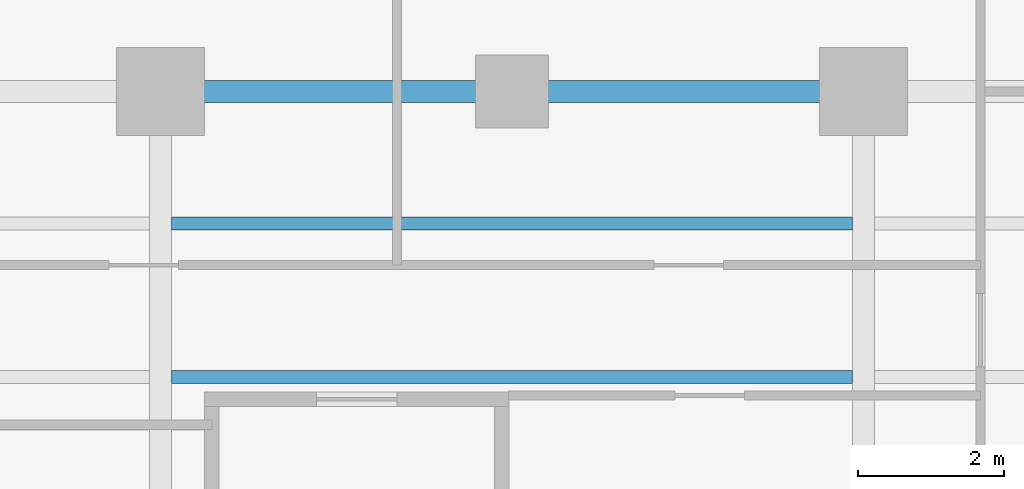
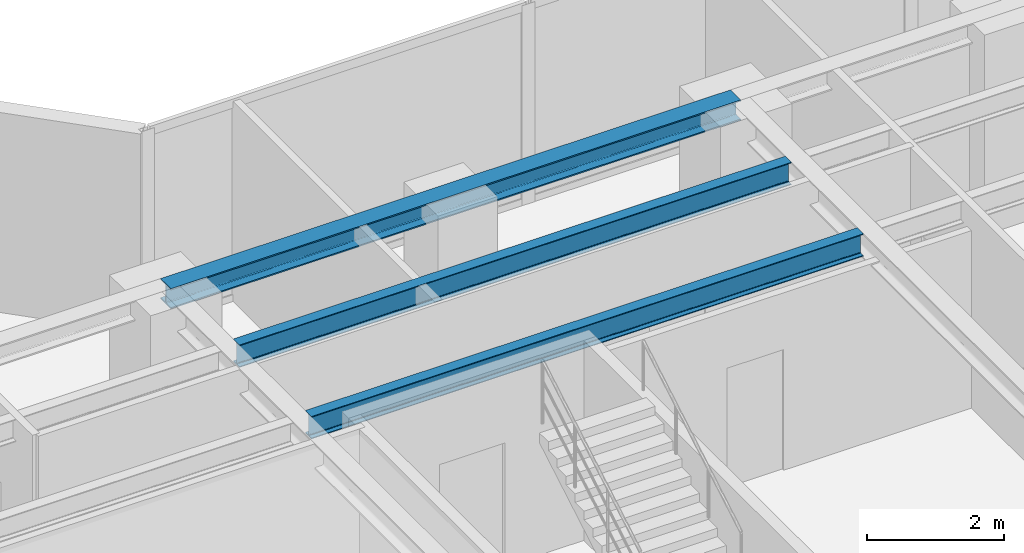
# One storey, part 5 of 26: 3 beams.
"""IFC4 building model written with IfcOpenShell, lengths in metres."""

from ifc_helpers import new_model, si_unit, direction, frame, origin, origin_2d, place, context, subcontext, project, spatial, i_section, extrude, material, material_profile, profile_set, type_object, element, save


model = new_model("IFC4")

# Units and contexts
model_context = context("Model", 3, precision=1e-05, world=origin(), true_north=direction((0.0, 1.0)))
body_context = subcontext(model_context, "Body", "Model", "MODEL_VIEW")
ifc_project = project(units=[si_unit("LENGTHUNIT", "METRE"), si_unit("AREAUNIT", "SQUARE_METRE"), si_unit("VOLUMEUNIT", "CUBIC_METRE"), si_unit("PLANEANGLEUNIT", "RADIAN"), si_unit("MASSUNIT", "GRAM", prefix="KILO")], contexts=[model_context])

# Site, building, storey
site_placement = place(None, origin())
site = spatial("IfcSite", under=ifc_project, at=site_placement, CompositionType="ELEMENT")
building_placement = place(site_placement, origin())
building = spatial("IfcBuilding", under=site, at=building_placement, Name="Kolvaren Waterfront Exchange", CompositionType="ELEMENT")
storey_placement = place(building_placement, frame((0.0, 0.0, 180.39990234375)))
storey = spatial("IfcBuildingStorey", under=building, at=storey_placement, Name="L46", CompositionType="ELEMENT", Elevation=180.39990234375)

# Beams
ifc_material = material(Name="Steel S355", Category="steel")
ifc_material_profile_1 = material_profile(ifc_material, i_section(OverallWidth=0.300048828125, OverallDepth=0.360107421875, WebThickness=0.012451171875, FlangeThickness=0.0224609375, FilletRadius=0.027099609375, at=origin_2d()), Name="HEB360")
ifc_profile_set_1 = profile_set([ifc_material_profile_1], Name="Steel S355")
beam_type_1 = type_object("IfcBeamType", Name="STR-BM-HEB360", PredefinedType="SPANDREL", material=ifc_profile_set_1)
beam_placement = place(storey_placement, frame((27.199951171875, 17.39990234375, 3.380126953125), z_axis=(1.0, 0.0, 0.0), x_axis=(0.0, 1.0, 0.0)))
element("IfcBeam", 1, at=beam_placement, inside=storey, type_object=beam_type_1, Name="L46 east-arm spandrel N2", PredefinedType="SPANDREL", context=body_context, shape_type="SweptSolid", body=[
    extrude(i_section(OverallWidth=0.300048828125, OverallDepth=0.360107421875, WebThickness=0.012451171875, FlangeThickness=0.0224609375, FilletRadius=0.027099609375, at=origin_2d()), origin(), (0.0, 0.0, 1.0), 9.60009765625),
])
ifc_material_profile_2 = material_profile(ifc_material, i_section(OverallWidth=0.179931640625, OverallDepth=0.39990234375, WebThickness=0.008544921875, FlangeThickness=0.013427734375, FilletRadius=0.02099609375, at=origin_2d()), Name="IPE400")
ifc_profile_set_2 = profile_set([ifc_material_profile_2], Name="Steel S355")
beam_type_2 = type_object("IfcBeamType", Name="STR-BM-IPE400", PredefinedType="JOIST", material=ifc_profile_set_2)
for number, where, z_axis, x_axis, name in (
    (2, (27.35205078125, 13.5, 3.360107421875), (1.0, 0.0, 0.0), (0.0, 1.0, 0.0), "L46 east-arm composite joist 2A"),
    (3, (27.35205078125, 15.60009765625, 3.360107421875), (1.0, 0.0, 0.0), (0.0, 1.0, 0.0), "L46 east-arm composite joist 2C"),
):
    element("IfcBeam", number, at=place(storey_placement, frame(where, z_axis=z_axis, x_axis=x_axis)), inside=storey, type_object=beam_type_2, Name=name, PredefinedType="JOIST", context=body_context, shape_type="SweptSolid", body=[
        extrude(i_section(OverallWidth=0.179931640625, OverallDepth=0.39990234375, WebThickness=0.008544921875, FlangeThickness=0.013427734375, FilletRadius=0.02099609375, at=origin_2d()), origin(), (0.0, 0.0, 1.0), 9.2958984375),
    ])

save(model, "model.ifc")
